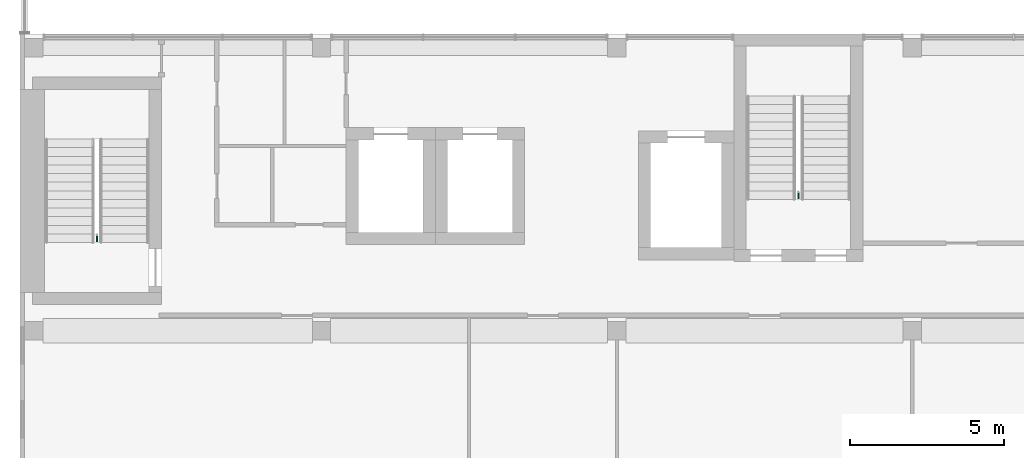
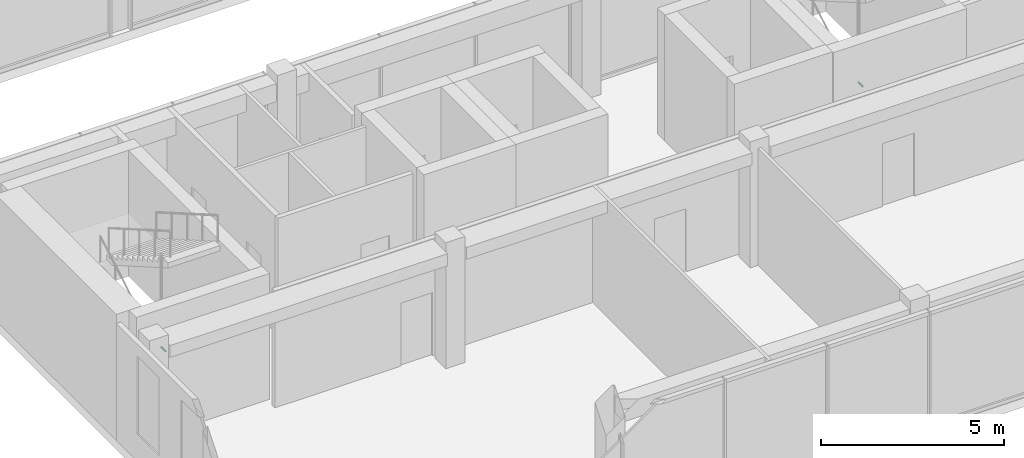
# One storey, part 27 of 28: 2 pipe fittings.
"""IFC4 building model written with IfcOpenShell, lengths in metres."""

from ifc_helpers import new_model, si_unit, direction, frame, origin, origin_2d, place, context, subcontext, project, spatial, circle, extrude, element, save


model = new_model("IFC4")

# Units and contexts
model_context = context("Model", 3, precision=1e-05, world=origin(), true_north=direction((0.0, 1.0)))
body_context = subcontext(model_context, "Body", "Model", "MODEL_VIEW")
ifc_project = project(units=[si_unit("LENGTHUNIT", "METRE"), si_unit("AREAUNIT", "SQUARE_METRE"), si_unit("VOLUMEUNIT", "CUBIC_METRE"), si_unit("PLANEANGLEUNIT", "RADIAN"), si_unit("MASSUNIT", "GRAM", prefix="KILO")], contexts=[model_context])

# Site, building, storey
site_placement = place(None, origin())
site = spatial("IfcSite", under=ifc_project, at=site_placement, CompositionType="ELEMENT")
building_placement = place(site_placement, origin())
building = spatial("IfcBuilding", under=site, at=building_placement, Name="Nzadi Deep Aquarium and Research Tower", CompositionType="ELEMENT")
storey_placement = place(building_placement, frame((0.0, 0.0, 73.89990234375)))
storey = spatial("IfcBuildingStorey", under=building, at=storey_placement, Name="L15", CompositionType="ELEMENT", Elevation=73.89990234375)

# Pipe fittings
for number, where, z_axis, x_axis, name in (
    (1, (2.300048828125, 12.320068359375, 1.10009765625), (0.0, -1.0, 0.0), (1.0, 0.0, 0.0), "Dry riser outlet ST-Z1-SW L15"),
    (2, (25.10009765625, 13.719970703125, 1.10009765625), (0.0, -1.0, 0.0), (1.0, 0.0, 0.0), "Dry riser outlet ST-Z1-SE L15"),
):
    element("IfcPipeFitting", number, at=place(storey_placement, frame(where, z_axis=z_axis, x_axis=x_axis)), inside=storey, Name=name, PredefinedType="EXIT", context=body_context, shape_type="SweptSolid", body=[
        extrude(circle(Radius=0.0224609375, at=origin_2d()), origin(), (0.0, 0.0, 1.0), 0.22998046875),
    ])

save(model, "model.ifc")
